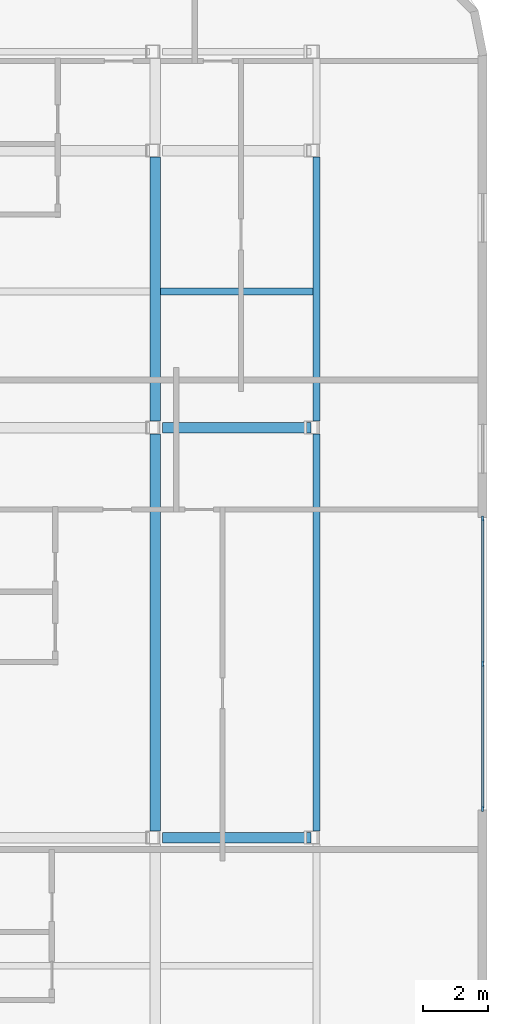
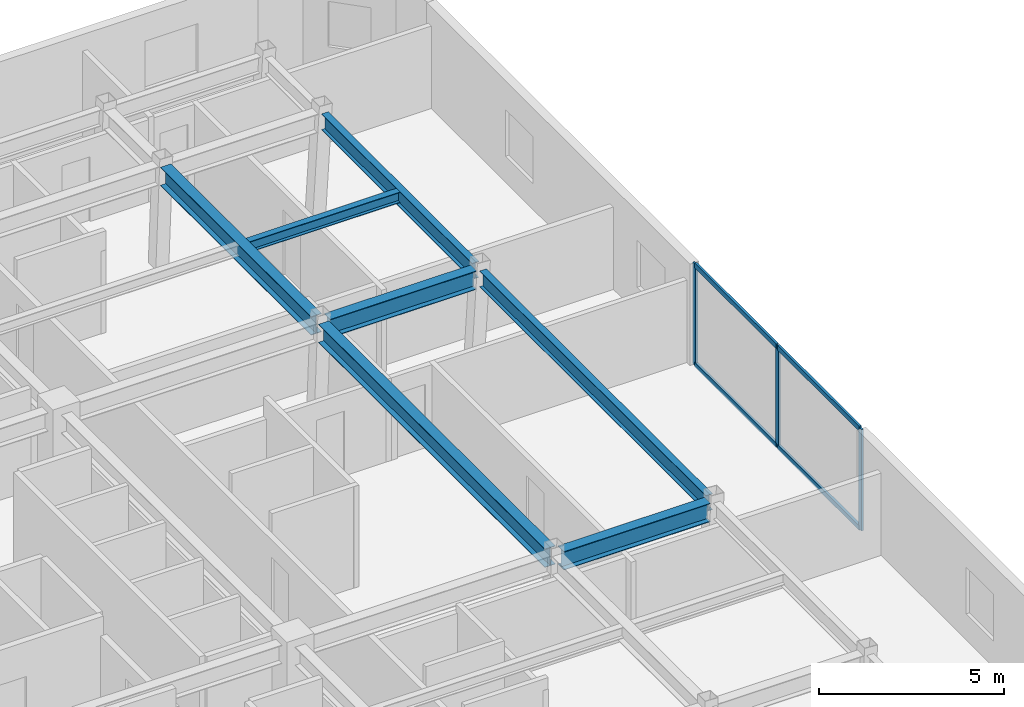
# One storey, part 2 of 9: 7 beams, 7 members, 1 element without a shape of its own.
"""IFC4 building model written with IfcOpenShell, lengths in metres."""

from ifc_helpers import new_model, si_unit, direction, frame, origin, origin_2d, place, context, subcontext, project, spatial, rectangle, i_section, extrude, material, layer, layer_set, material_profile, profile_set, type_object, element, aggregate, save


model = new_model("IFC4")

# Units and contexts
model_context = context("Model", 3, precision=1e-05, world=origin(), true_north=direction((0.0, 1.0)))
body_context = subcontext(model_context, "Body", "Model", "MODEL_VIEW")
ifc_project = project(units=[si_unit("LENGTHUNIT", "METRE"), si_unit("AREAUNIT", "SQUARE_METRE"), si_unit("VOLUMEUNIT", "CUBIC_METRE"), si_unit("PLANEANGLEUNIT", "RADIAN"), si_unit("MASSUNIT", "GRAM", prefix="KILO")], contexts=[model_context])

# Site, building, storey
site_placement = place(None, origin())
site = spatial("IfcSite", under=ifc_project, at=site_placement, CompositionType="ELEMENT")
building_placement = place(site_placement, origin())
building = spatial("IfcBuilding", under=site, at=building_placement, Name="Ochreholt Gables", CompositionType="ELEMENT")
storey_placement = place(building_placement, frame((0.0, 0.0, 94.800048828125)))
storey = spatial("IfcBuildingStorey", under=building, at=storey_placement, Name="L24", CompositionType="ELEMENT", Elevation=94.800048828125)

# Beams
ifc_material_1 = material(Name="Steel CSA G40.21 350W", Category="steel")
ifc_material_profile_1 = material_profile(ifc_material_1, i_section(OverallWidth=0.323974609375, OverallDepth=0.611083984375, WebThickness=0.0126953125, FlangeThickness=0.01904296875, at=origin_2d()), Name="W610X155")
ifc_profile_set_1 = profile_set([ifc_material_profile_1], Name="Steel CSA G40.21 350W")
beam_type_1 = type_object("IfcBeamType", Name="BM-G-W610A", PredefinedType="BEAM", material=ifc_profile_set_1)
for number, where, z_axis, x_axis, name in (
    (1, (43.58251953125, 17.550048828125, 3.04443359375), (1.0, 0.0, 0.0), (0.0, 1.0, 0.0), "L24 Beam TBG-L24-EMEE-Y3"),
    (2, (43.58251953125, 30.199951171875, 3.04443359375), (1.0, 0.0, 0.0), (0.0, 1.0, 0.0), "L24 Beam TBG-L24-EMEE-Y4"),
):
    element("IfcBeam", number, at=place(storey_placement, frame(where, z_axis=z_axis, x_axis=x_axis)), inside=storey, type_object=beam_type_1, Name=name, PredefinedType="BEAM", context=body_context, shape_type="SweptSolid", body=[
        extrude(i_section(OverallWidth=0.323974609375, OverallDepth=0.611083984375, WebThickness=0.0126953125, FlangeThickness=0.01904296875, at=origin_2d()), origin(), (0.0, 0.0, 1.0), 4.578857421875),
    ])
beam_1_placement = place(storey_placement, frame((43.362548828125, 17.752685546875, 3.04443359375), z_axis=(0.0, 1.0, 0.0), x_axis=(-1.0, 0.0, 0.0)))
element("IfcBeam", 3, at=beam_1_placement, inside=storey, type_object=beam_type_1, Name="L24 Beam TBN-L24-EM-Y3Y4", PredefinedType="BEAM", context=body_context, shape_type="SweptSolid", body=[
    extrude(i_section(OverallWidth=0.323974609375, OverallDepth=0.611083984375, WebThickness=0.0126953125, FlangeThickness=0.01904296875, at=origin_2d()), origin(), (0.0, 0.0, 1.0), 12.24462890625),
])
beam_2_placement = place(storey_placement, frame((43.362548828125, 30.402587890625, 3.04443359375), z_axis=(0.0, 1.0, 0.0), x_axis=(-1.0, 0.0, 0.0)))
element("IfcBeam", 4, at=beam_2_placement, inside=storey, type_object=beam_type_1, Name="L24 Beam TBN-L24-EM-Y4Y5", PredefinedType="BEAM", context=body_context, shape_type="SweptSolid", body=[
    extrude(i_section(OverallWidth=0.323974609375, OverallDepth=0.611083984375, WebThickness=0.0126953125, FlangeThickness=0.01904296875, at=origin_2d()), origin(), (0.0, 0.0, 1.0), 8.144775390625),
])
ifc_material_profile_2 = material_profile(ifc_material_1, i_section(OverallWidth=0.205078125, OverallDepth=0.35400390625, WebThickness=0.009521484375, FlangeThickness=0.016845703125, at=origin_2d()), Name="W360X79")
ifc_profile_set_2 = profile_set([ifc_material_profile_2], Name="Steel CSA G40.21 350W")
beam_type_2 = type_object("IfcBeamType", Name="BM-J-W360A", PredefinedType="JOIST", material=ifc_profile_set_2)
beam_3_placement = place(storey_placement, frame((43.524169921875, 34.39990234375, 3.1728515625), z_axis=(1.0, 0.0, 0.0), x_axis=(0.0, 1.0, 0.0)))
element("IfcBeam", 5, at=beam_3_placement, inside=storey, type_object=beam_type_2, Name="L24 Beam TBJ-L24-J2-EMEE", PredefinedType="JOIST", context=body_context, shape_type="SweptSolid", body=[
    extrude(i_section(OverallWidth=0.205078125, OverallDepth=0.35400390625, WebThickness=0.009521484375, FlangeThickness=0.016845703125, at=origin_2d()), origin(), (0.0, 0.0, 1.0), 4.706787109375),
])
ifc_material_profile_3 = material_profile(ifc_material_1, i_section(OverallWidth=0.208984375, OverallDepth=0.532958984375, WebThickness=0.01025390625, FlangeThickness=0.015625, at=origin_2d()), Name="W530X92")
ifc_profile_set_3 = profile_set([ifc_material_profile_3], Name="Steel CSA G40.21 350W")
beam_type_3 = type_object("IfcBeamType", Name="BM-SP-W530B", PredefinedType="SPANDREL", material=ifc_profile_set_3)
beam_4_placement = place(storey_placement, frame((48.3349609375, 17.752685546875, 3.08349609375), z_axis=(0.0, 1.0, 0.0), x_axis=(-1.0, 0.0, 0.0)))
element("IfcBeam", 6, at=beam_4_placement, inside=storey, type_object=beam_type_3, Name="L24 Beam TBN-L24-EE-Y3Y4", PredefinedType="SPANDREL", context=body_context, shape_type="SweptSolid", body=[
    extrude(i_section(OverallWidth=0.208984375, OverallDepth=0.532958984375, WebThickness=0.01025390625, FlangeThickness=0.015625, at=origin_2d()), origin(), (0.0, 0.0, 1.0), 12.24462890625),
])
beam_5_placement = place(storey_placement, frame((48.3349609375, 30.402587890625, 3.08349609375), z_axis=(0.0, 1.0, 0.0), x_axis=(-1.0, 0.0, 0.0)))
element("IfcBeam", 7, at=beam_5_placement, inside=storey, type_object=beam_type_3, Name="L24 Beam TBN-L24-EE-Y4Y5", PredefinedType="SPANDREL", context=body_context, shape_type="SweptSolid", body=[
    extrude(i_section(OverallWidth=0.208984375, OverallDepth=0.532958984375, WebThickness=0.01025390625, FlangeThickness=0.015625, at=origin_2d()), origin(), (0.0, 0.0, 1.0), 8.144775390625),
])

# Curtain wall, members
ifc_material_2 = material(Name="Unitised Aluminium and Triple Glazing", Category="aluminium")
ifc_layer = layer(ifc_material_2, 0.18994140625, Name="Unitised Aluminium and Triple Glazing")
ifc_layer_set = layer_set([ifc_layer], Name="Unitised Aluminium and Triple Glazing")
curtain_wall_type = type_object("IfcCurtainWallType", Name="CW-SYS3", PredefinedType="NOTDEFINED", material=ifc_layer_set)
curtain_wall_placement = place(storey_placement, origin())
curtain_wall = element("IfcCurtainWall", 8, at=curtain_wall_placement, inside=storey, type_object=curtain_wall_type, Name="L24 East Unitised Curtain Wall", PredefinedType="NOTDEFINED")
ifc_material_3 = material(Name="Anodized Aluminium 6063-T6", Category="aluminium")
ifc_material_profile_4 = material_profile(ifc_material_3, rectangle(XDim=0.06494140625, YDim=0.1650390625, at=origin_2d()), Name="CWM65X165")
ifc_profile_set_4 = profile_set([ifc_material_profile_4], Name="Anodized Aluminium 6063-T6")
member_type_1 = type_object("IfcMemberType", Name="CW-MUL-B", PredefinedType="MULLION", material=ifc_profile_set_4)
member_1_placement = place(storey_placement, frame((53.4599609375, 18.4326171875, 0.0), z_axis=(0.0, 0.0, 1.0), x_axis=(-1.0, 0.0, 0.0)))
member_1 = element("IfcMember", 9, at=member_1_placement, type_object=member_type_1, Name="CW-3 mullion 1", PredefinedType="MULLION", context=body_context, shape_type="SweptSolid", body=[
    extrude(rectangle(XDim=0.06494140625, YDim=0.1650390625, at=origin_2d()), origin(), (0.0, 0.0, 1.0), 3.349853515625),
])
member_2_placement = place(storey_placement, frame((53.4599609375, 22.9140625, 0.0), z_axis=(0.0, 0.0, 1.0), x_axis=(-1.0, 0.0, 0.0)))
member_2 = element("IfcMember", 10, at=member_2_placement, type_object=member_type_1, Name="CW-3 mullion 2", PredefinedType="MULLION", context=body_context, shape_type="SweptSolid", body=[
    extrude(rectangle(XDim=0.06494140625, YDim=0.1650390625, at=origin_2d()), origin(), (0.0, 0.0, 1.0), 3.349853515625),
])
member_3_placement = place(storey_placement, frame((53.4599609375, 27.3955078125, 0.0), z_axis=(0.0, 0.0, 1.0), x_axis=(-1.0, 0.0, 0.0)))
member_3 = element("IfcMember", 11, at=member_3_placement, type_object=member_type_1, Name="CW-3 mullion 3", PredefinedType="MULLION", context=body_context, shape_type="SweptSolid", body=[
    extrude(rectangle(XDim=0.06494140625, YDim=0.1650390625, at=origin_2d()), origin(), (0.0, 0.0, 1.0), 3.349853515625),
])
ifc_material_profile_5 = material_profile(ifc_material_3, rectangle(XDim=0.074951171875, YDim=0.159912109375, at=origin_2d()), Name="CWT75X160")
ifc_profile_set_5 = profile_set([ifc_material_profile_5], Name="Anodized Aluminium 6063-T6")
member_type_2 = type_object("IfcMemberType", Name="CW-TRN-A", PredefinedType="USERDEFINED", material=ifc_profile_set_5)
member_4_placement = place(storey_placement, frame((53.4599609375, 18.465087890625, 0.037353515625), z_axis=(0.0, 1.0, 0.0), x_axis=(-1.0, 0.0, 0.0)))
member_4 = element("IfcMember", 12, at=member_4_placement, type_object=member_type_2, Name="CW-3 transom 1.1", ObjectType="TRANSOM", PredefinedType="USERDEFINED", context=body_context, shape_type="SweptSolid", body=[
    extrude(rectangle(XDim=0.074951171875, YDim=0.159912109375, at=origin_2d()), origin(), (0.0, 0.0, 1.0), 4.41650390625),
])
member_5_placement = place(storey_placement, frame((53.4599609375, 18.465087890625, 3.3125), z_axis=(0.0, 1.0, 0.0), x_axis=(-1.0, 0.0, 0.0)))
member_5 = element("IfcMember", 13, at=member_5_placement, type_object=member_type_2, Name="CW-3 transom 1.2", ObjectType="TRANSOM", PredefinedType="USERDEFINED", context=body_context, shape_type="SweptSolid", body=[
    extrude(rectangle(XDim=0.074951171875, YDim=0.159912109375, at=origin_2d()), origin(), (0.0, 0.0, 1.0), 4.41650390625),
])
member_6_placement = place(storey_placement, frame((53.4599609375, 22.946533203125, 0.037353515625), z_axis=(0.0, 1.0, 0.0), x_axis=(-1.0, 0.0, 0.0)))
member_6 = element("IfcMember", 14, at=member_6_placement, type_object=member_type_2, Name="CW-3 transom 2.1", ObjectType="TRANSOM", PredefinedType="USERDEFINED", context=body_context, shape_type="SweptSolid", body=[
    extrude(rectangle(XDim=0.074951171875, YDim=0.159912109375, at=origin_2d()), origin(), (0.0, 0.0, 1.0), 4.41650390625),
])
member_7_placement = place(storey_placement, frame((53.4599609375, 22.946533203125, 3.3125), z_axis=(0.0, 1.0, 0.0), x_axis=(-1.0, 0.0, 0.0)))
member_7 = element("IfcMember", 15, at=member_7_placement, type_object=member_type_2, Name="CW-3 transom 2.2", ObjectType="TRANSOM", PredefinedType="USERDEFINED", context=body_context, shape_type="SweptSolid", body=[
    extrude(rectangle(XDim=0.074951171875, YDim=0.159912109375, at=origin_2d()), origin(), (0.0, 0.0, 1.0), 4.41650390625),
])
aggregate(curtain_wall, [member_1, member_2, member_3, member_4, member_5, member_6, member_7])

save(model, "model.ifc")
